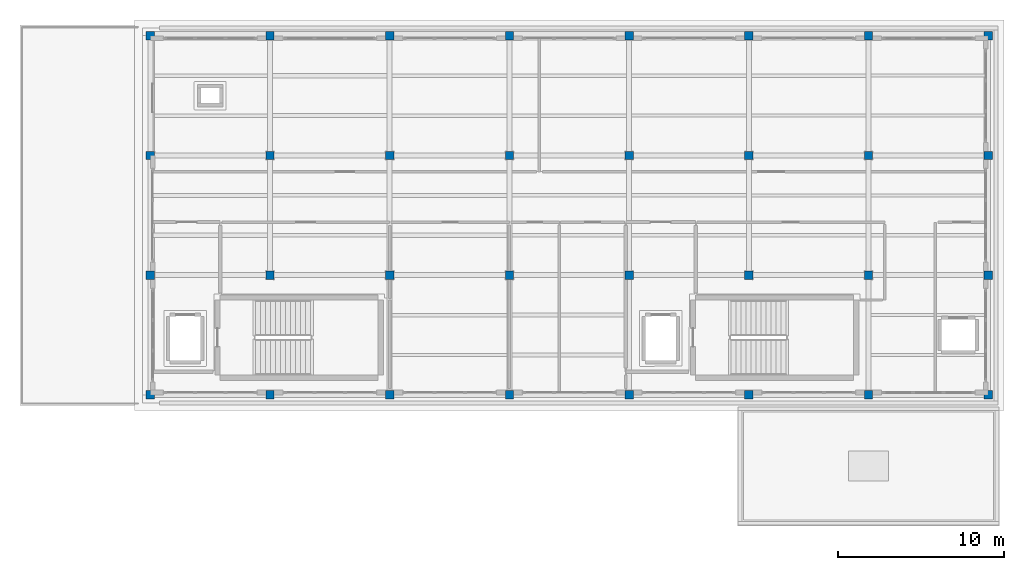
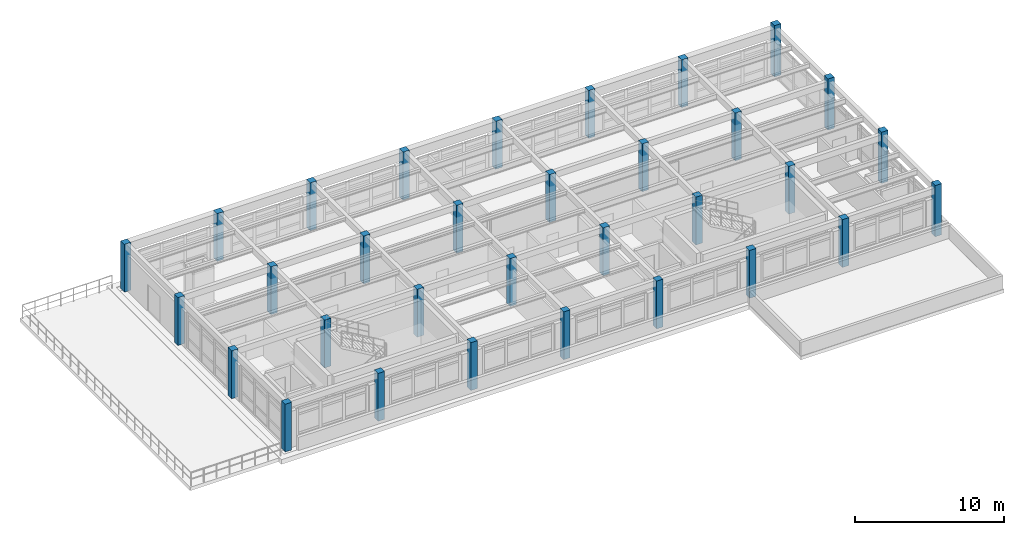
# One storey, part 1 of 15: 32 columns.
"""IFC4 building model written with IfcOpenShell, lengths in metres."""

from ifc_helpers import new_model, si_unit, direction, frame, origin, origin_2d, place, context, subcontext, project, spatial, rectangle, extrude, material, material_profile, profile_set, type_object, element, save


model = new_model("IFC4")

# Units and contexts
model_context = context("Model", 3, precision=1e-05, world=origin(), true_north=direction((0.0, 1.0)))
body_context = subcontext(model_context, "Body", "Model", "MODEL_VIEW")
ifc_project = project(units=[si_unit("LENGTHUNIT", "METRE"), si_unit("AREAUNIT", "SQUARE_METRE"), si_unit("VOLUMEUNIT", "CUBIC_METRE"), si_unit("PLANEANGLEUNIT", "RADIAN"), si_unit("MASSUNIT", "GRAM", prefix="KILO")], contexts=[model_context])

# Site, building, storey
site_placement = place(None, origin())
site = spatial("IfcSite", under=ifc_project, at=site_placement, CompositionType="ELEMENT")
building_placement = place(site_placement, origin())
building = spatial("IfcBuilding", under=site, at=building_placement, Name="Solenvale Faculty of Natural Sciences", CompositionType="ELEMENT")
storey_placement = place(building_placement, frame((0.0, 0.0, 48.0)))
storey = spatial("IfcBuildingStorey", under=building, at=storey_placement, Name="L11", CompositionType="ELEMENT", Elevation=48.0)

# Columns
ifc_material = material(Name="Concrete 40 MPa", Category="concrete")
ifc_material_profile = material_profile(ifc_material, rectangle(XDim=0.5, YDim=0.5, at=origin_2d()), Name="RC-COL-500x500")
ifc_profile_set = profile_set([ifc_material_profile], Name="Concrete 40 MPa")
column_type = type_object("IfcColumnType", Name="COL-RC-500", PredefinedType="COLUMN", material=ifc_profile_set)
for number, where, z_axis, x_axis, name in (
    (1, (100.800048828125, 93.60009765625, 0.0), (0.0, 0.0, 1.0), (1.0, 0.0, 0.0), "L11 Column (100.8, 93.6)"),
    (2, (100.800048828125, 100.800048828125, 0.0), (0.0, 0.0, 1.0), (1.0, 0.0, 0.0), "L11 Column (100.8, 100.8)"),
    (3, (100.800048828125, 108.0, 0.0), (0.0, 0.0, 1.0), (1.0, 0.0, 0.0), "L11 Column (100.8, 108.0)"),
    (4, (100.800048828125, 115.199951171875, 0.0), (0.0, 0.0, 1.0), (1.0, 0.0, 0.0), "L11 Column (100.8, 115.2)"),
    (5, (108.0, 93.60009765625, 0.0), (0.0, 0.0, 1.0), (1.0, 0.0, 0.0), "L11 Column (108.0, 93.6)"),
    (6, (108.0, 100.800048828125, 0.0), (0.0, 0.0, 1.0), (1.0, 0.0, 0.0), "L11 Column (108.0, 100.8)"),
    (7, (108.0, 108.0, 0.0), (0.0, 0.0, 1.0), (1.0, 0.0, 0.0), "L11 Column (108.0, 108.0)"),
    (8, (108.0, 115.199951171875, 0.0), (0.0, 0.0, 1.0), (1.0, 0.0, 0.0), "L11 Column (108.0, 115.2)"),
    (9, (115.199951171875, 93.60009765625, 0.0), (0.0, 0.0, 1.0), (1.0, 0.0, 0.0), "L11 Column (115.2, 93.6)"),
    (10, (115.199951171875, 100.800048828125, 0.0), (0.0, 0.0, 1.0), (1.0, 0.0, 0.0), "L11 Column (115.2, 100.8)"),
    (11, (115.199951171875, 108.0, 0.0), (0.0, 0.0, 1.0), (1.0, 0.0, 0.0), "L11 Column (115.2, 108.0)"),
    (12, (115.199951171875, 115.199951171875, 0.0), (0.0, 0.0, 1.0), (1.0, 0.0, 0.0), "L11 Column (115.2, 115.2)"),
    (13, (122.39990234375, 93.60009765625, 0.0), (0.0, 0.0, 1.0), (1.0, 0.0, 0.0), "L11 Column (122.4, 93.6)"),
    (14, (122.39990234375, 100.800048828125, 0.0), (0.0, 0.0, 1.0), (1.0, 0.0, 0.0), "L11 Column (122.4, 100.8)"),
    (15, (122.39990234375, 108.0, 0.0), (0.0, 0.0, 1.0), (1.0, 0.0, 0.0), "L11 Column (122.4, 108.0)"),
    (16, (122.39990234375, 115.199951171875, 0.0), (0.0, 0.0, 1.0), (1.0, 0.0, 0.0), "L11 Column (122.4, 115.2)"),
    (17, (129.60009765625, 93.60009765625, 0.0), (0.0, 0.0, 1.0), (1.0, 0.0, 0.0), "L11 Column (129.6, 93.6)"),
    (18, (129.60009765625, 100.800048828125, 0.0), (0.0, 0.0, 1.0), (1.0, 0.0, 0.0), "L11 Column (129.6, 100.8)"),
    (19, (129.60009765625, 108.0, 0.0), (0.0, 0.0, 1.0), (1.0, 0.0, 0.0), "L11 Column (129.6, 108.0)"),
    (20, (129.60009765625, 115.199951171875, 0.0), (0.0, 0.0, 1.0), (1.0, 0.0, 0.0), "L11 Column (129.6, 115.2)"),
    (21, (136.800048828125, 93.60009765625, 0.0), (0.0, 0.0, 1.0), (1.0, 0.0, 0.0), "L11 Column (136.8, 93.6)"),
    (22, (136.800048828125, 100.800048828125, 0.0), (0.0, 0.0, 1.0), (1.0, 0.0, 0.0), "L11 Column (136.8, 100.8)"),
    (23, (136.800048828125, 108.0, 0.0), (0.0, 0.0, 1.0), (1.0, 0.0, 0.0), "L11 Column (136.8, 108.0)"),
    (24, (136.800048828125, 115.199951171875, 0.0), (0.0, 0.0, 1.0), (1.0, 0.0, 0.0), "L11 Column (136.8, 115.2)"),
    (25, (144.0, 93.60009765625, 0.0), (0.0, 0.0, 1.0), (1.0, 0.0, 0.0), "L11 Column (144.0, 93.6)"),
    (26, (144.0, 100.800048828125, 0.0), (0.0, 0.0, 1.0), (1.0, 0.0, 0.0), "L11 Column (144.0, 100.8)"),
    (27, (144.0, 108.0, 0.0), (0.0, 0.0, 1.0), (1.0, 0.0, 0.0), "L11 Column (144.0, 108.0)"),
    (28, (144.0, 115.199951171875, 0.0), (0.0, 0.0, 1.0), (1.0, 0.0, 0.0), "L11 Column (144.0, 115.2)"),
):
    element("IfcColumn", number, at=place(storey_placement, frame(where, z_axis=z_axis, x_axis=x_axis)), inside=storey, type_object=column_type, Name=name, PredefinedType="COLUMN", context=body_context, shape_type="SweptSolid", body=[
        extrude(rectangle(XDim=0.5, YDim=0.5, at=origin_2d()), origin(), (0.0, 0.0, 1.0), 3.919921875),
    ])
for number, where, z_axis, x_axis, name in (
    (29, (151.199951171875, 93.60009765625, 0.0), (0.0, 0.0, 1.0), (1.0, 0.0, 0.0), "L11 Column (151.2, 93.6)"),
    (30, (151.199951171875, 100.800048828125, 0.0), (0.0, 0.0, 1.0), (1.0, 0.0, 0.0), "L11 Column (151.2, 100.8)"),
    (31, (151.199951171875, 108.0, 0.0), (0.0, 0.0, 1.0), (1.0, 0.0, 0.0), "L11 Column (151.2, 108.0)"),
    (32, (151.199951171875, 115.199951171875, 0.0), (0.0, 0.0, 1.0), (1.0, 0.0, 0.0), "L11 Column (151.2, 115.2)"),
):
    element("IfcColumn", number, at=place(storey_placement, frame(where, z_axis=z_axis, x_axis=x_axis)), inside=storey, type_object=column_type, Name=name, PredefinedType="COLUMN", context=body_context, shape_type="SweptSolid", body=[
        extrude(rectangle(XDim=0.5, YDim=0.5, at=origin_2d()), origin(), (0.0, 0.0, 1.0), 4.199951171875),
    ])

save(model, "model.ifc")
